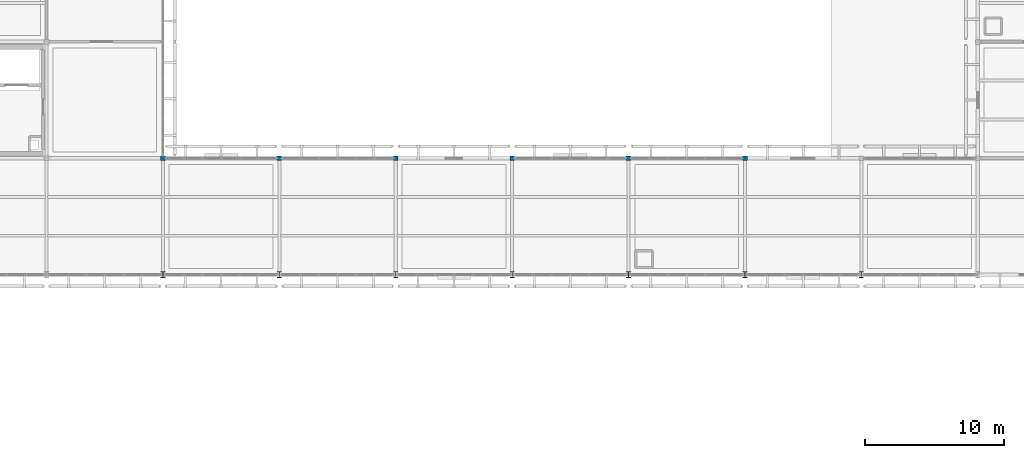
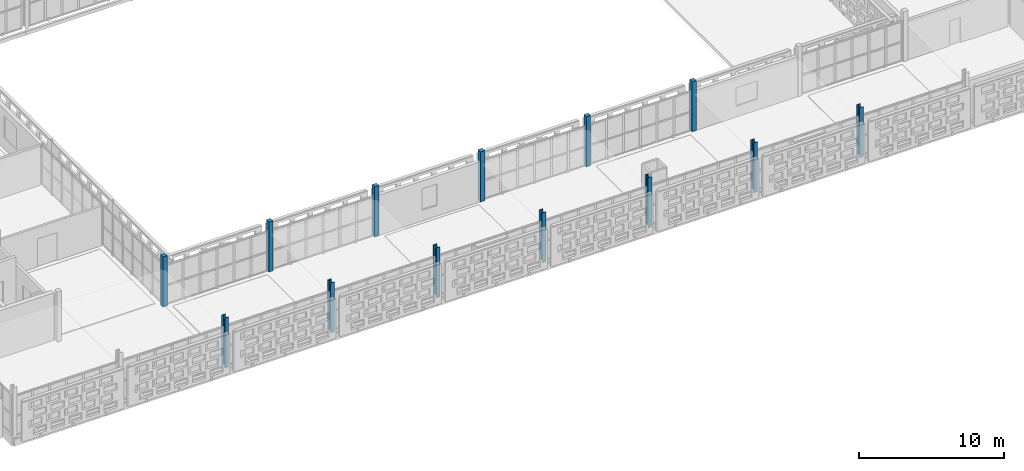
# One storey, part 5 of 140: 13 columns.
"""IFC4 building model written with IfcOpenShell, lengths in metres."""

from ifc_helpers import new_model, si_unit, direction, frame, origin, origin_2d, place, context, subcontext, project, spatial, rectangle, i_section, extrude, material, material_profile, profile_set, type_object, element, save


model = new_model("IFC4")

# Units and contexts
model_context = context("Model", 3, precision=1e-05, world=origin(), true_north=direction((0.0, 1.0)))
body_context = subcontext(model_context, "Body", "Model", "MODEL_VIEW")
ifc_project = project(units=[si_unit("LENGTHUNIT", "METRE"), si_unit("AREAUNIT", "SQUARE_METRE"), si_unit("VOLUMEUNIT", "CUBIC_METRE"), si_unit("PLANEANGLEUNIT", "RADIAN"), si_unit("MASSUNIT", "GRAM", prefix="KILO")], contexts=[model_context])

# Site, building, storey
site_placement = place(None, origin())
site = spatial("IfcSite", under=ifc_project, at=site_placement, CompositionType="ELEMENT")
building_placement = place(site_placement, origin())
building = spatial("IfcBuilding", under=site, at=building_placement, Name="Varnapada Polytechnic", CompositionType="ELEMENT")
storey_placement = place(building_placement, frame((0.0, 0.0, 13.800048828125)))
storey = spatial("IfcBuildingStorey", under=building, at=storey_placement, Name="L03", CompositionType="ELEMENT", Elevation=13.800048828125)

# Columns
ifc_material_1 = material(Name="Steel S355", Category="steel")
ifc_material_profile_1 = material_profile(ifc_material_1, i_section(OverallWidth=0.300048828125, OverallDepth=0.449951171875, WebThickness=0.013916015625, FlangeThickness=0.02587890625, FilletRadius=0.027099609375, at=origin_2d()), Name="HEB 450")
ifc_profile_set_1 = profile_set([ifc_material_profile_1], Name="Steel S355")
column_type_1 = type_object("IfcColumnType", Name="Column C-07 (HEB 450)", PredefinedType="COLUMN", material=ifc_profile_set_1)
for number, where, z_axis, x_axis, name in (
    (1, (67.199951171875, 84.0, 0.0), (0.0, 0.0, 1.0), (1.0, 0.0, 0.0), "L03 column 9/11"),
    (2, (75.60009765625, 84.0, 0.0), (0.0, 0.0, 1.0), (1.0, 0.0, 0.0), "L03 column 10/11"),
    (3, (84.0, 84.0, 0.0), (0.0, 0.0, 1.0), (1.0, 0.0, 0.0), "L03 column 11/11"),
    (4, (92.39990234375, 84.0, 0.0), (0.0, 0.0, 1.0), (1.0, 0.0, 0.0), "L03 column 12/11"),
    (5, (100.800048828125, 84.0, 0.0), (0.0, 0.0, 1.0), (1.0, 0.0, 0.0), "L03 column 13/11"),
    (6, (109.199951171875, 84.0, 0.0), (0.0, 0.0, 1.0), (1.0, 0.0, 0.0), "L03 column 14/11"),
    (7, (117.60009765625, 84.0, 0.0), (0.0, 0.0, 1.0), (1.0, 0.0, 0.0), "L03 column 15/11"),
):
    element("IfcColumn", number, at=place(storey_placement, frame(where, z_axis=z_axis, x_axis=x_axis)), inside=storey, type_object=column_type_1, Name=name, PredefinedType="COLUMN", context=body_context, shape_type="SweptSolid", body=[
        extrude(i_section(OverallWidth=0.300048828125, OverallDepth=0.449951171875, WebThickness=0.013916015625, FlangeThickness=0.02587890625, FilletRadius=0.027099609375, at=origin_2d()), origin(), (0.0, 0.0, 1.0), 4.199951171875),
    ])
ifc_material_2 = material(Name="Glulam GL32h", Category="wood")
ifc_material_profile_2 = material_profile(ifc_material_2, rectangle(XDim=0.340087890625, YDim=0.340087890625, at=origin_2d()), Name="GL 340x340")
ifc_profile_set_2 = profile_set([ifc_material_profile_2], Name="Glulam GL32h")
column_type_2 = type_object("IfcColumnType", Name="Column C-27 (GL 340x340)", PredefinedType="COLUMN", material=ifc_profile_set_2)
for number, where, z_axis, x_axis, name in (
    (8, (67.199951171875, 92.39990234375, 0.0), (0.0, 0.0, 1.0), (1.0, 0.0, 0.0), "L03 column 9/12"),
    (9, (75.60009765625, 92.39990234375, 0.0), (0.0, 0.0, 1.0), (1.0, 0.0, 0.0), "L03 column 10/12"),
    (10, (84.0, 92.39990234375, 0.0), (0.0, 0.0, 1.0), (1.0, 0.0, 0.0), "L03 column 11/12"),
    (11, (92.39990234375, 92.39990234375, 0.0), (0.0, 0.0, 1.0), (1.0, 0.0, 0.0), "L03 column 12/12"),
    (12, (100.800048828125, 92.39990234375, 0.0), (0.0, 0.0, 1.0), (1.0, 0.0, 0.0), "L03 column 13/12"),
    (13, (109.199951171875, 92.39990234375, 0.0), (0.0, 0.0, 1.0), (1.0, 0.0, 0.0), "L03 column 14/12"),
):
    element("IfcColumn", number, at=place(storey_placement, frame(where, z_axis=z_axis, x_axis=x_axis)), inside=storey, type_object=column_type_2, Name=name, PredefinedType="COLUMN", context=body_context, shape_type="SweptSolid", body=[
        extrude(rectangle(XDim=0.340087890625, YDim=0.340087890625, at=origin_2d()), origin(), (0.0, 0.0, 1.0), 4.199951171875),
    ])

save(model, "model.ifc")
